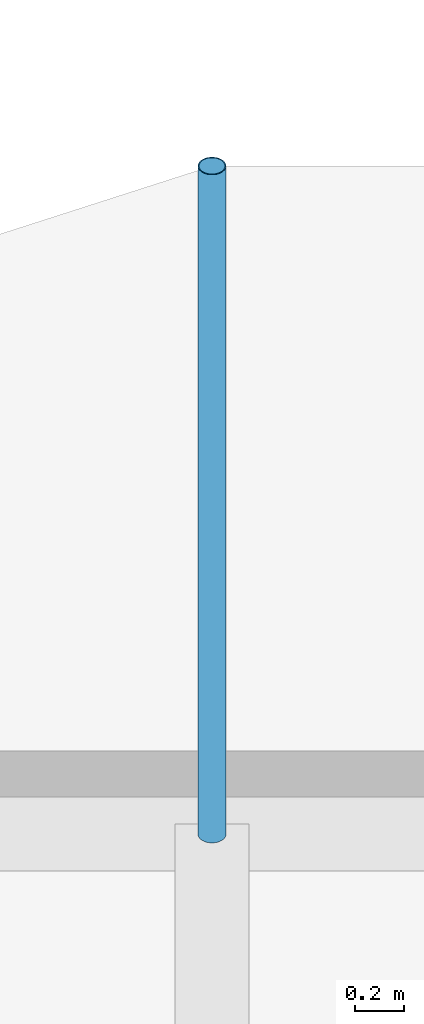
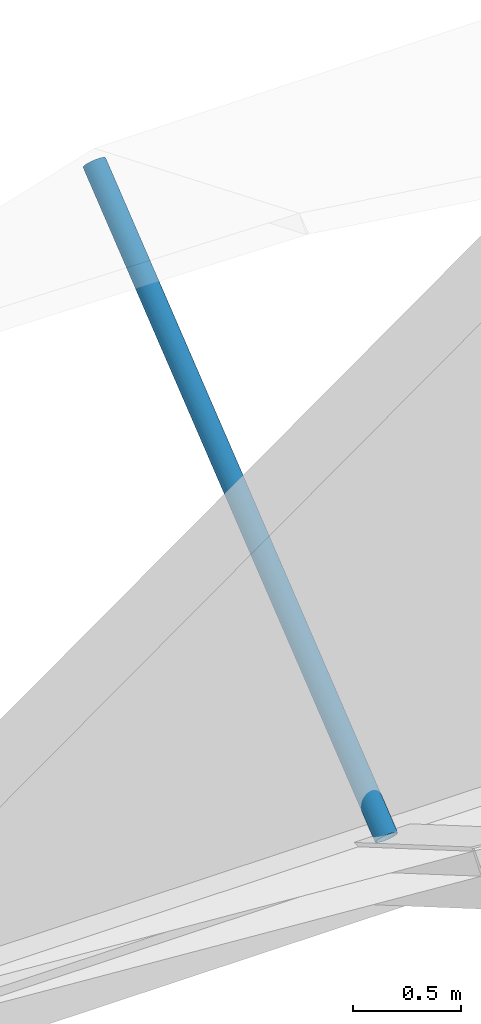
# One storey, part 90 of 111: 1 discrete accessory.
"""IFC4 building model written with IfcOpenShell, lengths in metres."""

from ifc_helpers import new_model, si_unit, direction, frame, origin, origin_2d, place, context, subcontext, project, spatial, hollow_circle, extrude, material, material_profile, profile_set, type_object, element, save


model = new_model("IFC4")

# Units and contexts
model_context = context("Model", 3, precision=1e-05, world=origin(), true_north=direction((0.0, 1.0)))
body_context = subcontext(model_context, "Body", "Model", "MODEL_VIEW")
ifc_project = project(units=[si_unit("LENGTHUNIT", "METRE"), si_unit("AREAUNIT", "SQUARE_METRE"), si_unit("VOLUMEUNIT", "CUBIC_METRE"), si_unit("PLANEANGLEUNIT", "RADIAN"), si_unit("MASSUNIT", "GRAM", prefix="KILO")], contexts=[model_context])

# Site, building, storey
site_placement = place(None, origin())
site = spatial("IfcSite", under=ifc_project, at=site_placement, CompositionType="ELEMENT")
building_placement = place(site_placement, origin())
building = spatial("IfcBuilding", under=site, at=building_placement, Name="Rain Tree Exposition and Congress Centre", CompositionType="ELEMENT")
storey_placement = place(building_placement, frame((0.0, 0.0, 19.5)))
storey = spatial("IfcBuildingStorey", under=building, at=storey_placement, Name="RF", CompositionType="ELEMENT", Elevation=19.5)

# Discrete accessory
ifc_material = material(Name="Steel S355J2H", Category="steel")
ifc_material_profile = material_profile(ifc_material, hollow_circle(Radius=0.05712890625, WallThickness=0.00439453125, at=origin_2d()), Name="CHS 114x4.5")
ifc_profile_set = profile_set([ifc_material_profile], Name="Steel S355J2H")
discrete_accessory_type = type_object("IfcDiscreteAccessoryType", Name="Roof skin post CHS 114x4.5", PredefinedType="BRACKET", material=ifc_profile_set)
discrete_accessory_placement = place(storey_placement, frame((151.199951171875, 201.60009765625, 0.5), z_axis=(0.0, 0.779464070471, 0.626446935378), x_axis=(-1.0, 0.0, 0.0)))
element("IfcDiscreteAccessory", 1, at=discrete_accessory_placement, inside=storey, type_object=discrete_accessory_type, Name="Roof skin post B158", PredefinedType="BRACKET", context=body_context, shape_type="SweptSolid", body=[
    extrude(hollow_circle(Radius=0.05712890625, WallThickness=0.00439453125, at=origin_2d()), origin(), (0.0, 0.0, 1.0), 3.4638671875),
])

save(model, "model.ifc")
